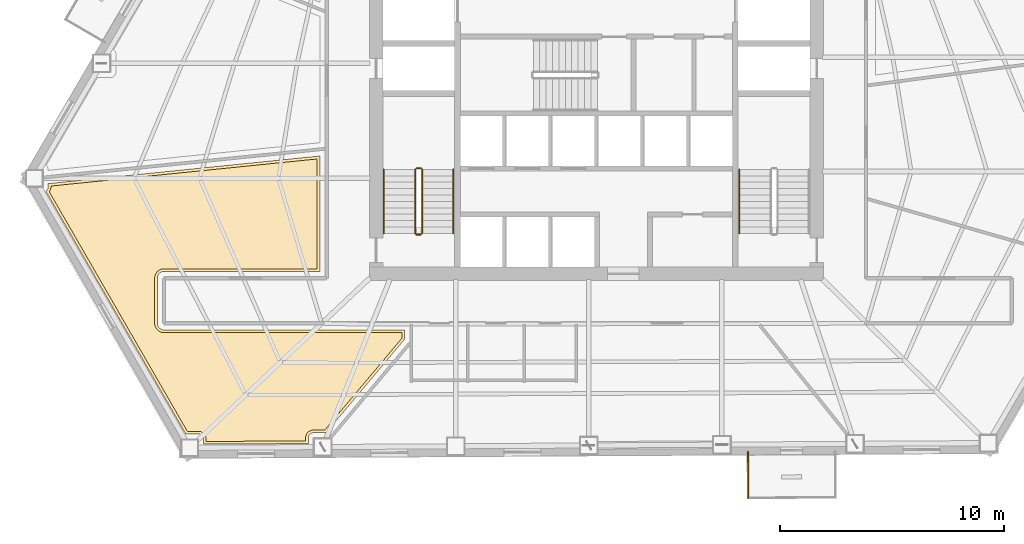
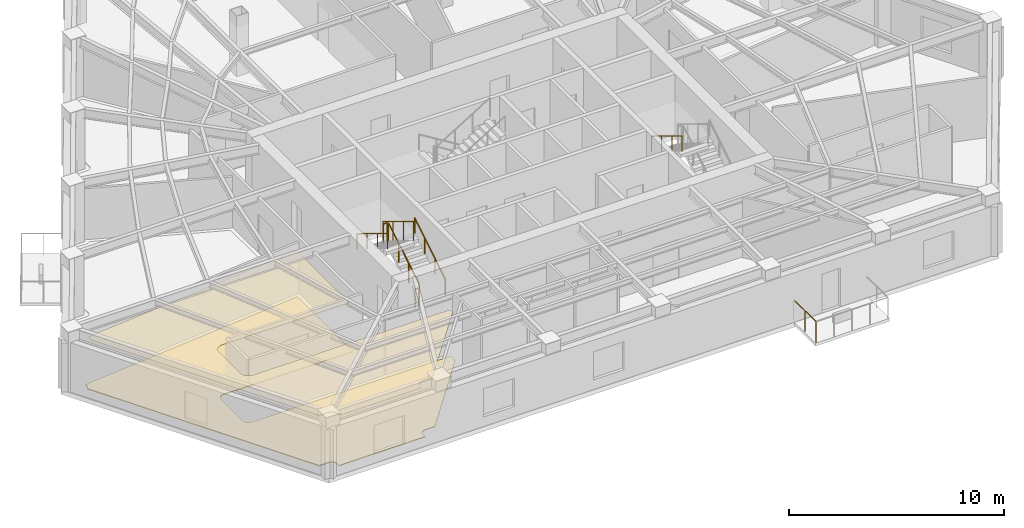
# One storey, part 11 of 14: 8 railings, 2 coverings.
"""IFC4 building model written with IfcOpenShell, lengths in metres."""

from ifc_helpers import new_model, si_unit, direction, frame, origin, origin_2d, place, context, subcontext, project, spatial, polyline, circle, outline, extrude, material, layer, layer_set, type_object, element, save


model = new_model("IFC4")

# Units and contexts
model_context = context("Model", 3, precision=1e-05, world=origin(), true_north=direction((0.0, 1.0)))
body_context = subcontext(model_context, "Body", "Model", "MODEL_VIEW")
ifc_project = project(units=[si_unit("LENGTHUNIT", "METRE"), si_unit("AREAUNIT", "SQUARE_METRE"), si_unit("VOLUMEUNIT", "CUBIC_METRE"), si_unit("PLANEANGLEUNIT", "RADIAN"), si_unit("MASSUNIT", "GRAM", prefix="KILO")], contexts=[model_context])

# Site, building, storey
site_placement = place(None, origin())
site = spatial("IfcSite", under=ifc_project, at=site_placement, CompositionType="ELEMENT")
building_placement = place(site_placement, origin())
building = spatial("IfcBuilding", under=site, at=building_placement, Name="Kavelnor Concourse Tower", CompositionType="ELEMENT")
storey_placement = place(building_placement, frame((0.0, 0.0, 71.449951171875)))
storey = spatial("IfcBuildingStorey", under=building, at=storey_placement, Name="L18", CompositionType="ELEMENT", Elevation=71.449951171875)

# Coverings
ifc_material_1 = material(Name="Mineral fibre acoustic ceiling tile")
ifc_layer_1 = layer(ifc_material_1, 0.0400390625, Name="Mineral fibre acoustic ceiling tile")
ifc_layer_set_1 = layer_set([ifc_layer_1], Name="Mineral fibre acoustic ceiling tile")
covering_type_1 = type_object("IfcCoveringType", Name="COV-CEILING-ACOUSTIC", PredefinedType="CEILING", material=ifc_layer_set_1)
covering_1_placement = place(storey_placement, frame((0.0, 0.0, 2.75)))
element("IfcCovering", 1, at=covering_1_placement, inside=storey, type_object=covering_type_1, Name="L18 Suspended Acoustic Ceiling", PredefinedType="CEILING", context=body_context, shape_type="SweptSolid", body=[
    extrude(outline(polyline([(13.62744140625, 12.9716796875), (13.6455078125, 13.002197265625), (13.66064453125, 13.0341796875), (13.672607421875, 13.0673828125), (13.68115234375, 13.101806640625), (13.686279296875, 13.13671875), (13.687744140625, 13.163818359375), (13.687744140625, 13.210205078125), (25.5576171875, 14.41748046875), (25.5576171875, 9.5224609375), (18.724853515625, 9.5224609375), (18.691650390625, 9.52099609375), (18.650634765625, 9.514892578125), (18.6103515625, 9.504638671875), (18.5712890625, 9.49072265625), (18.53369140625, 9.472900390625), (18.498046875, 9.45166015625), (18.46484375, 9.427001953125), (18.43408203125, 9.39892578125), (18.40625, 9.368408203125), (18.381591796875, 9.3349609375), (18.360107421875, 9.29931640625), (18.34228515625, 9.26171875), (18.328369140625, 9.222900390625), (18.318359375, 9.1826171875), (18.312255859375, 9.1416015625), (18.310546875, 9.1083984375), (18.310546875, 7.091796875), (18.312255859375, 7.05859375), (18.318359375, 7.017578125), (18.328369140625, 6.977294921875), (18.34228515625, 6.938232421875), (18.360107421875, 6.900634765625), (18.381591796875, 6.864990234375), (18.40625, 6.831787109375), (18.43408203125, 6.801025390625), (18.46484375, 6.773193359375), (18.498046875, 6.748291015625), (18.53369140625, 6.72705078125), (18.5712890625, 6.709228515625), (18.6103515625, 6.6953125), (18.650634765625, 6.685302734375), (18.691650390625, 6.67919921875), (18.724853515625, 6.677490234375), (25.98828125, 6.677490234375), (26.021484375, 6.67919921875), (26.030029296875, 6.680419921875), (26.03857421875, 6.67919921875), (26.07177734375, 6.677490234375), (29.3349609375, 6.677490234375), (29.3349609375, 6.429443359375), (25.896728515625, 2.336181640625), (25.39208984375, 2.336181640625), (25.364990234375, 2.334716796875), (25.330078125, 2.32958984375), (25.295654296875, 2.321044921875), (25.262451171875, 2.30908203125), (25.23046875, 2.2939453125), (25.2001953125, 2.27587890625), (25.171630859375, 2.254638671875), (25.1455078125, 2.23095703125), (25.12158203125, 2.20458984375), (25.1005859375, 2.17626953125), (25.08251953125, 2.14599609375), (25.0673828125, 2.114013671875), (25.055419921875, 2.080810546875), (25.046875, 2.04638671875), (25.04150390625, 2.011474609375), (25.040283203125, 1.984375), (25.040283203125, 1.8515625), (20.60888671875, 1.8251953125), (20.60888671875, 1.928955078125), (20.607666015625, 1.9560546875), (20.602294921875, 1.990966796875), (20.59375, 2.025390625), (20.581787109375, 2.05859375), (20.56689453125, 2.090576171875), (20.548583984375, 2.120849609375), (20.527587890625, 2.1494140625), (20.503662109375, 2.175537109375), (20.4775390625, 2.19921875), (20.44921875, 2.220458984375), (20.418701171875, 2.238525390625), (20.38671875, 2.253662109375), (20.353515625, 2.265625), (20.319091796875, 2.274169921875), (20.2841796875, 2.279296875), (20.257080078125, 2.28076171875), (19.765625, 2.28076171875), (13.614990234375, 12.955078125), (13.62744140625, 12.9716796875)])), origin(), (0.0, 0.0, 1.0), 0.0400390625),
])
ifc_material_2 = material(Name="Honed bluestone and raised access floor finish", Category="masonry")
ifc_layer_2 = layer(ifc_material_2, 0.0400390625, Name="Honed bluestone and raised access floor finish")
ifc_layer_set_2 = layer_set([ifc_layer_2], Name="Honed bluestone and raised access floor finish")
covering_type_2 = type_object("IfcCoveringType", Name="COV-FLOOR-STONE", PredefinedType="FLOORING", material=ifc_layer_set_2)
covering_2_placement = place(storey_placement, frame((0.0, 0.0, 0.001953125)))
element("IfcCovering", 2, at=covering_2_placement, inside=storey, type_object=covering_type_2, Name="L18 Honed Bluestone Floor Finish", PredefinedType="FLOORING", context=body_context, shape_type="SweptSolid", body=[
    extrude(outline(polyline([(13.47998046875, 12.986328125), (13.49755859375, 13.002197265625), (13.513427734375, 13.01953125), (13.527587890625, 13.03857421875), (13.53955078125, 13.05859375), (13.5498046875, 13.080078125), (13.5576171875, 13.102294921875), (13.563232421875, 13.125), (13.56689453125, 13.1484375), (13.567626953125, 13.16650390625), (13.567626953125, 13.318603515625), (25.677490234375, 14.55029296875), (25.677490234375, 9.402587890625), (18.727783203125, 9.402587890625), (18.703369140625, 9.4013671875), (18.674072265625, 9.39697265625), (18.645263671875, 9.3896484375), (18.6171875, 9.379638671875), (18.59033203125, 9.366943359375), (18.56494140625, 9.351806640625), (18.541015625, 9.333984375), (18.51904296875, 9.314208984375), (18.4990234375, 9.2919921875), (18.4814453125, 9.268310546875), (18.466064453125, 9.24267578125), (18.453369140625, 9.2158203125), (18.443359375, 9.18798828125), (18.436279296875, 9.1591796875), (18.431884765625, 9.129638671875), (18.4306640625, 9.10546875), (18.4306640625, 7.094482421875), (18.431884765625, 7.0703125), (18.436279296875, 7.041015625), (18.443359375, 7.01220703125), (18.453369140625, 6.984130859375), (18.466064453125, 6.957275390625), (18.4814453125, 6.931884765625), (18.4990234375, 6.907958984375), (18.51904296875, 6.885986328125), (18.541015625, 6.865966796875), (18.56494140625, 6.848388671875), (18.59033203125, 6.8330078125), (18.6171875, 6.8203125), (18.645263671875, 6.810302734375), (18.674072265625, 6.802978515625), (18.703369140625, 6.798583984375), (18.727783203125, 6.797607421875), (25.9853515625, 6.797607421875), (26.009765625, 6.798583984375), (26.030029296875, 6.8017578125), (26.05029296875, 6.798583984375), (26.07470703125, 6.797607421875), (29.455078125, 6.797607421875), (29.455078125, 6.3857421875), (25.95263671875, 2.216064453125), (25.39501953125, 2.216064453125), (25.376708984375, 2.215087890625), (25.353515625, 2.211669921875), (25.33056640625, 2.2060546875), (25.308349609375, 2.197998046875), (25.287109375, 2.18798828125), (25.266845703125, 2.17578125), (25.247802734375, 2.161865234375), (25.23046875, 2.14599609375), (25.214599609375, 2.12841796875), (25.200439453125, 2.109619140625), (25.1884765625, 2.08935546875), (25.17822265625, 2.068115234375), (25.17041015625, 2.0458984375), (25.164794921875, 2.02294921875), (25.1611328125, 1.999755859375), (25.160400390625, 1.9814453125), (25.160400390625, 1.732177734375), (20.489013671875, 1.704345703125), (20.489013671875, 1.926025390625), (20.488037109375, 1.9443359375), (20.484619140625, 1.967529296875), (20.478759765625, 1.990478515625), (20.470947265625, 2.0126953125), (20.460693359375, 2.033935546875), (20.44873046875, 2.05419921875), (20.4345703125, 2.072998046875), (20.418701171875, 2.090576171875), (20.4013671875, 2.1064453125), (20.38232421875, 2.12060546875), (20.3623046875, 2.132568359375), (20.3408203125, 2.142578125), (20.318603515625, 2.150634765625), (20.2958984375, 2.15625), (20.2724609375, 2.159912109375), (20.25439453125, 2.16064453125), (19.6962890625, 2.16064453125), (13.46484375, 12.97509765625), (13.47998046875, 12.986328125)])), origin(), (0.0, 0.0, 1.0), 0.0400390625),
])

# Railings
ifc_material_3 = material(Name="Steel Grade 350", Category="steel")
railing_type_1 = type_object("IfcRailingType", Name="RLG-GUARD-1100", PredefinedType="GUARDRAIL", material=ifc_material_3)
railing_1_placement = place(storey_placement, frame((30.22998046875, 11.10009765625, 0.175048828125)))
element("IfcRailing", 3, at=railing_1_placement, inside=storey, type_object=railing_type_1, Name="L18 ST1 stair guard 1", PredefinedType="GUARDRAIL", context=body_context, shape_type="SweptSolid", body=[
    extrude(circle(Radius=0.02392578125, at=origin_2d()), frame((0.0, 0.0, 1.076171875), z_axis=(0.0, 0.852159232446, 0.523282564737), x_axis=(-1.0, 0.0, 0.0)), (0.0, 0.0, 1.0), 3.34423828125),
    extrude(circle(Radius=0.02099609375, at=origin_2d()), origin(), (0.0, 0.0, 1.0), 1.052001953125),
    extrude(circle(Radius=0.02099609375, at=origin_2d()), frame((0.0, 0.949951171875, 0.583251953125)), (0.0, 0.0, 1.0), 1.052001953125),
    extrude(circle(Radius=0.02099609375, at=origin_2d()), frame((0.0, 1.89990234375, 1.166748046875)), (0.0, 0.0, 1.0), 1.052001953125),
    extrude(circle(Radius=0.02099609375, at=origin_2d()), frame((0.0, 2.849853515625, 1.75)), (0.0, 0.0, 1.0), 1.052001953125),
])
railing_2_placement = place(storey_placement, frame((30.179931640625, 14.0, 1.925048828125)))
element("IfcRailing", 4, at=railing_2_placement, inside=storey, type_object=railing_type_1, Name="L18 ST1 stair guard 2", PredefinedType="GUARDRAIL", context=body_context, shape_type="SweptSolid", body=[
    extrude(circle(Radius=0.02392578125, at=origin_2d()), frame((0.0, 0.0, 1.076171875), z_axis=(-1.0, 0.0, 0.0), x_axis=(0.0, -1.0, 0.0)), (0.0, 0.0, 1.0), 0.199951171875),
    extrude(circle(Radius=0.02099609375, at=origin_2d()), origin(), (0.0, 0.0, 1.0), 1.052001953125),
    extrude(circle(Radius=0.02099609375, at=origin_2d()), frame((-0.199951171875, 0.0, 0.0)), (0.0, 0.0, 1.0), 1.052001953125),
])
railing_3_placement = place(storey_placement, frame((29.929931640625, 13.949951171875, 2.10009765625)))
element("IfcRailing", 5, at=railing_3_placement, inside=storey, type_object=railing_type_1, Name="L18 ST1 stair guard 3", PredefinedType="GUARDRAIL", context=body_context, shape_type="SweptSolid", body=[
    extrude(circle(Radius=0.02392578125, at=origin_2d()), frame((0.0, 0.0, 1.076171875), z_axis=(0.0, -0.852159232446, 0.523282564737), x_axis=(1.0, 0.0, 0.0)), (0.0, 0.0, 1.0), 3.34423828125),
    extrude(circle(Radius=0.02099609375, at=origin_2d()), origin(), (0.0, 0.0, 1.0), 1.052001953125),
    extrude(circle(Radius=0.02099609375, at=origin_2d()), frame((0.0, -0.949951171875, 0.583251953125)), (0.0, 0.0, 1.0), 1.052001953125),
    extrude(circle(Radius=0.02099609375, at=origin_2d()), frame((0.0, -1.89990234375, 1.166748046875)), (0.0, 0.0, 1.0), 1.052001953125),
    extrude(circle(Radius=0.02099609375, at=origin_2d()), frame((0.0, -2.849853515625, 1.75)), (0.0, 0.0, 1.0), 1.052001953125),
])
railing_4_placement = place(storey_placement, frame((30.179931640625, 11.050048828125, 0.0)))
element("IfcRailing", 6, at=railing_4_placement, inside=storey, type_object=railing_type_1, Name="L18 ST1 stair guard 4", PredefinedType="GUARDRAIL", context=body_context, shape_type="SweptSolid", body=[
    extrude(circle(Radius=0.02392578125, at=origin_2d()), frame((0.0, 0.0, 1.076171875), z_axis=(-1.0, 0.0, 0.0), x_axis=(0.0, -1.0, 0.0)), (0.0, 0.0, 1.0), 0.199951171875),
    extrude(circle(Radius=0.02099609375, at=origin_2d()), origin(), (0.0, 0.0, 1.0), 1.052001953125),
    extrude(circle(Radius=0.02099609375, at=origin_2d()), frame((-0.199951171875, 0.0, 0.0)), (0.0, 0.0, 1.0), 1.052001953125),
])
railing_type_2 = type_object("IfcRailingType", Name="RLG-HANDRAIL-900", PredefinedType="HANDRAIL", material=ifc_material_3)
railing_5_placement = place(storey_placement, frame((31.6298828125, 11.10009765625, 0.175048828125)))
element("IfcRailing", 7, at=railing_5_placement, inside=storey, type_object=railing_type_2, Name="L18 ST1 stair handrail 1", PredefinedType="HANDRAIL", context=body_context, shape_type="SweptSolid", body=[
    extrude(circle(Radius=0.02392578125, at=origin_2d()), frame((0.0, 0.0, 0.8759765625), z_axis=(0.0, 0.852159232446, 0.523282564737), x_axis=(-1.0, 0.0, 0.0)), (0.0, 0.0, 1.0), 3.34423828125),
    extrude(circle(Radius=0.02099609375, at=origin_2d()), origin(), (0.0, 0.0, 1.0), 0.851806640625),
    extrude(circle(Radius=0.02099609375, at=origin_2d()), frame((0.0, 0.949951171875, 0.583251953125)), (0.0, 0.0, 1.0), 0.851806640625),
    extrude(circle(Radius=0.02099609375, at=origin_2d()), frame((0.0, 1.89990234375, 1.166748046875)), (0.0, 0.0, 1.0), 0.851806640625),
    extrude(circle(Radius=0.02099609375, at=origin_2d()), frame((0.0, 2.849853515625, 1.75)), (0.0, 0.0, 1.0), 0.851806640625),
])
for number, where, name in (
    (8, (28.530029296875, 13.949951171875, 2.10009765625), "L18 ST1 stair handrail 2"),
    (9, (44.3701171875, 13.949951171875, 2.10009765625), "L18 ST2 stair handrail 2"),
):
    element("IfcRailing", number, at=place(storey_placement, frame(where)), inside=storey, type_object=railing_type_2, Name=name, PredefinedType="HANDRAIL", context=body_context, shape_type="SweptSolid", body=[
        extrude(circle(Radius=0.02392578125, at=origin_2d()), frame((0.0, 0.0, 0.8759765625), z_axis=(0.0, -0.852159232446, 0.523282564737), x_axis=(1.0, 0.0, 0.0)), (0.0, 0.0, 1.0), 3.34423828125),
        extrude(circle(Radius=0.02099609375, at=origin_2d()), origin(), (0.0, 0.0, 1.0), 0.851806640625),
        extrude(circle(Radius=0.02099609375, at=origin_2d()), frame((0.0, -0.949951171875, 0.583251953125)), (0.0, 0.0, 1.0), 0.851806640625),
        extrude(circle(Radius=0.02099609375, at=origin_2d()), frame((0.0, -1.89990234375, 1.166748046875)), (0.0, 0.0, 1.0), 0.851806640625),
        extrude(circle(Radius=0.02099609375, at=origin_2d()), frame((0.0, -2.849853515625, 1.75)), (0.0, 0.0, 1.0), 0.851806640625),
    ])
ifc_material_4 = material(Name="Architectural bronze-anodised aluminium", Category="aluminium")
railing_type_3 = type_object("IfcRailingType", Name="RLG-TERRACE-1200", PredefinedType="BALUSTRADE", material=ifc_material_4)
railing_6_placement = place(storey_placement, frame((44.757568359375, 1.369140625, 0.0)))
element("IfcRailing", 10, at=railing_6_placement, inside=storey, type_object=railing_type_3, Name="L18 Tree Balcony 2 Guardrail L", PredefinedType="BALUSTRADE", context=body_context, shape_type="SweptSolid", body=[
    extrude(circle(Radius=0.02392578125, at=origin_2d()), frame((0.0, 0.0, 1.17578125), z_axis=(0.005954402003, -0.999982272391, 0.0), x_axis=(0.999982272391, 0.005954402003, 0.0)), (0.0, 0.0, 1.0), 2.050048828125),
    extrude(circle(Radius=0.02099609375, at=origin_2d()), origin(), (0.0, 0.0, 1.0), 1.15185546875),
    extrude(circle(Radius=0.02099609375, at=origin_2d()), frame((0.006103515625, -1.02490234375, 0.0)), (0.0, 0.0, 1.0), 1.15185546875),
    extrude(circle(Radius=0.02099609375, at=origin_2d()), frame((0.01220703125, -2.050048828125, 0.0)), (0.0, 0.0, 1.0), 1.15185546875),
])

save(model, "model.ifc")
